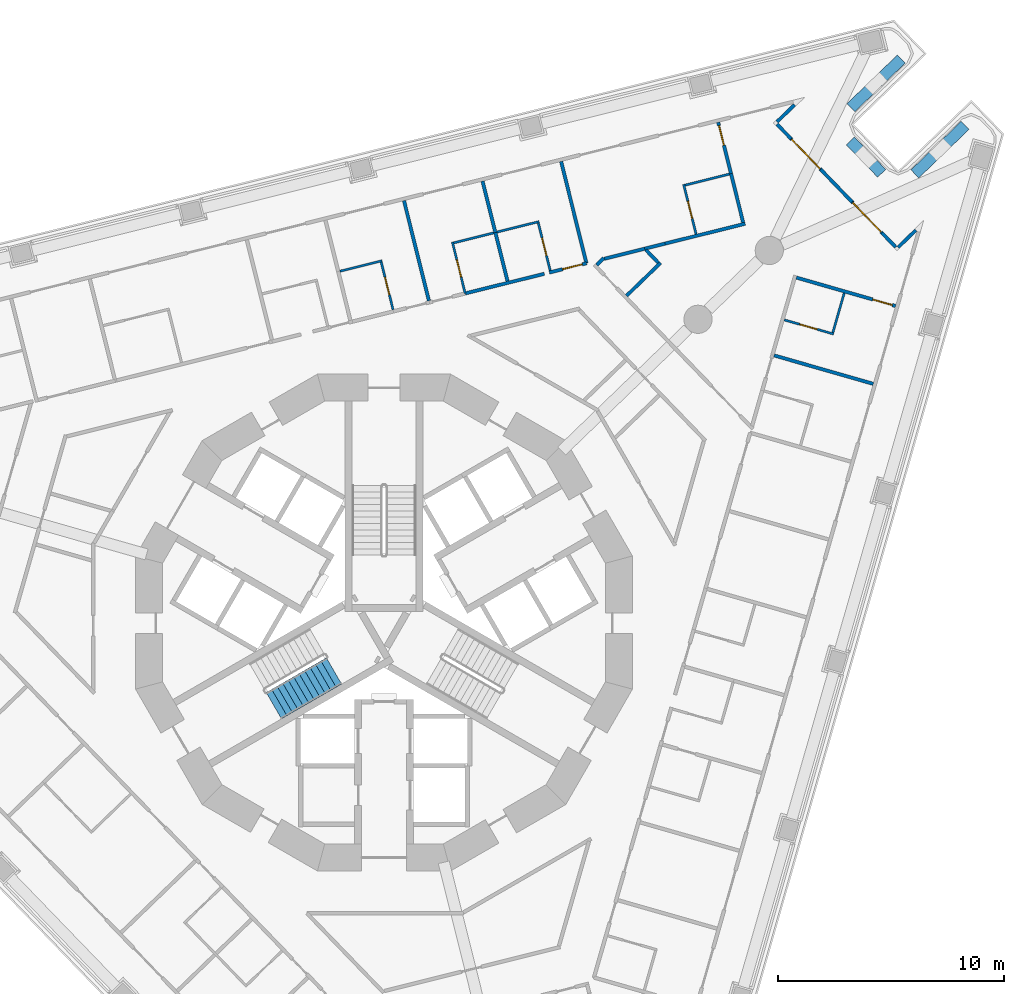
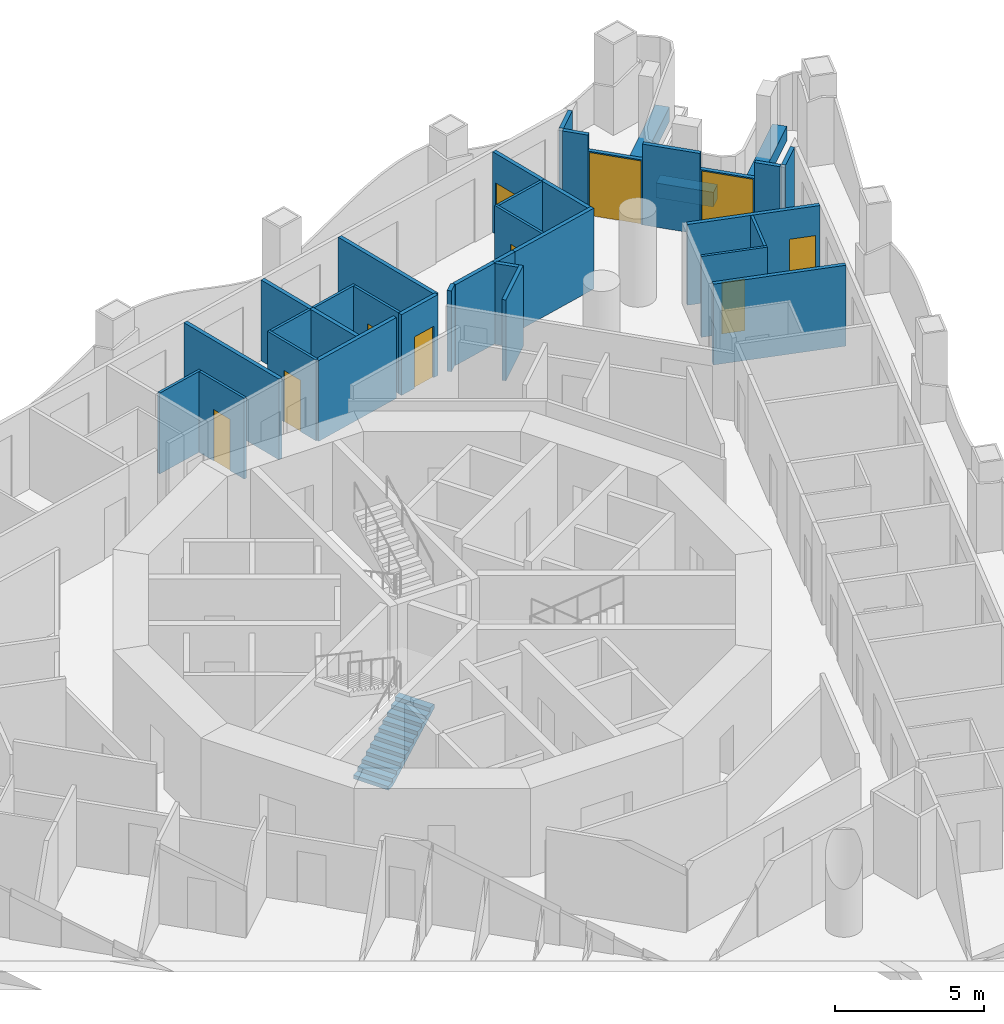
# One storey, part 10 of 19: 36 walls, 10 doors, 1 stair flight, 10 openings, 1 element without a shape of its own.
"""IFC4 building model written with IfcOpenShell, lengths in metres."""

from ifc_helpers import new_model, si_unit, direction, frame, frame_2d, origin, place, context, subcontext, project, spatial, polyline, rectangle, outline, extrude, material, layer, layer_set, type_object, element, fill, aggregate, save


model = new_model("IFC4")

# Units and contexts
model_context = context("Model", 3, precision=1e-05, world=origin(), true_north=direction((0.0, 1.0)))
body_context = subcontext(model_context, "Body", "Model", "MODEL_VIEW")
ifc_project = project(units=[si_unit("LENGTHUNIT", "METRE"), si_unit("AREAUNIT", "SQUARE_METRE"), si_unit("VOLUMEUNIT", "CUBIC_METRE"), si_unit("PLANEANGLEUNIT", "RADIAN"), si_unit("MASSUNIT", "GRAM", prefix="KILO")], contexts=[model_context])

# Site, building, storey
site_placement = place(None, origin())
site = spatial("IfcSite", under=ifc_project, at=site_placement, CompositionType="ELEMENT")
building_placement = place(site_placement, origin())
building = spatial("IfcBuilding", under=site, at=building_placement, Name="Trine Commons Tower", CompositionType="ELEMENT")
storey_placement = place(building_placement, frame((0.0, 0.0, 105.300048828125)))
storey = spatial("IfcBuildingStorey", under=building, at=storey_placement, Name="L26", CompositionType="ELEMENT", Elevation=105.300048828125)

# Walls
ifc_material_1 = material(Name="Aluminium-framed insulated wall panel", Category="aluminium")
ifc_layer_1 = layer(ifc_material_1, 0.14990234375)
ifc_layer_set_1 = layer_set([ifc_layer_1], Name="Aluminium-framed insulated wall panel")
wall_type_1 = type_object("IfcWallType", Name="Glazed frame wall 150, EI 60", PredefinedType="SOLIDWALL", material=ifc_layer_set_1)
wall_1_placement = place(storey_placement, frame((98.3076171875, 85.552490234375, 0.0), z_axis=(0.0, 0.0, 1.0), x_axis=(-0.719251336278, -0.694749966004, 0.0)))
element("IfcWall", 1, at=wall_1_placement, inside=storey, type_object=wall_type_1, Name="Glazed frame wall R5", PredefinedType="SOLIDWALL", context=body_context, shape_type="SweptSolid", body=[
    extrude(outline(polyline([(0.1494140625, 0.074951171875), (0.1494140625, -0.074951171875), (1.235107421875, -0.074951171875), (1.235107421875, 0.074951171875), (0.1494140625, 0.074951171875)])), origin(), (0.0, 0.0, 1.0), 3.300048828125),
])
wall_2_placement = place(storey_placement, frame((97.3408203125, 84.66748046875, 0.0), z_axis=(0.0, 0.0, 1.0), x_axis=(0.694668587965, -0.719329933267, 0.0)))
element("IfcWall", 2, at=wall_2_placement, inside=storey, type_object=wall_type_1, Name="Glazed frame wall P2.1", PredefinedType="SOLIDWALL", context=body_context, shape_type="SweptSolid", body=[
    extrude(outline(polyline([(0.110107421875, -0.074951171875), (1.0, -0.074951171875), (1.0, 0.074951171875), (0.110107421875, 0.074951171875), (0.110107421875, -0.074951171875)])), origin(), (0.0, 0.0, 1.0), 3.300048828125),
])

# Wall, opening, door
wall_3_placement = place(storey_placement, frame((98.035400390625, 83.9482421875, 0.0), z_axis=(0.0, 0.0, 1.0), x_axis=(0.694665586762, -0.719332831566, 0.0)))
wall_3 = element("IfcWall", 3, at=wall_3_placement, inside=storey, type_object=wall_type_1, Name="Glazed frame wall P2.2", PredefinedType="SOLIDWALL", context=body_context, shape_type="SweptSolid", body=[
    extrude(outline(polyline([(0.0, -0.074951171875), (1.89990234375, -0.074951171875), (1.89990234375, 0.074951171875), (0.0, 0.074951171875), (0.0, -0.074951171875)])), origin(), (0.0, 0.0, 1.0), 2.64990234375),
])
opening_1_placement = place(wall_3_placement, frame((0.050048828125, 0.0, 0.0)))
opening_1 = element("IfcOpeningElement", 4, at=opening_1_placement, cuts=wall_3, Name="Opening BD-3P2-01", PredefinedType="OPENING", context=body_context, shape_type="SweptSolid", body=[
    extrude(rectangle(XDim=1.800048828125, YDim=2.60009765625, at=frame_2d((0.89990234375, 1.300048828125))), frame((0.0, 0.0849609375, 0.0), z_axis=(0.0, -1.0, 0.0), x_axis=(1.0, 0.0, 0.0)), (0.0, 0.0, 1.0), 0.169921875),
])
ifc_material_2 = material(Name="Anodised aluminium frame with double glazing", Category="aluminium")
door_type_1 = type_object("IfcDoorType", Name="Sliding loggia door 1800x2600", OperationType="SLIDING_TO_LEFT", PredefinedType="DOOR", material=ifc_material_2)
door_1_placement = place(opening_1_placement, origin())
door_1 = element("IfcDoor", 5, at=door_1_placement, inside=storey, type_object=door_type_1, Name="Loggia door P2 1", OperationType="SLIDING_TO_LEFT", OverallHeight=2.60009765625, OverallWidth=1.800048828125, PredefinedType="DOOR", context=body_context, shape_type="SweptSolid", body=[
    extrude(rectangle(XDim=1.800048828125, YDim=2.60009765625, at=frame_2d((0.89990234375, 1.300048828125))), frame((0.0, 0.02490234375, 0.0), z_axis=(0.0, -1.0, 0.0), x_axis=(1.0, 0.0, 0.0)), (0.0, 0.0, 1.0), 0.050048828125),
])
fill(opening_1, door_1)

# Wall
wall_4_placement = place(storey_placement, frame((99.35546875, 82.581298828125, 0.0), z_axis=(0.0, 0.0, 1.0), x_axis=(0.694668587965, -0.719329933267, 0.0)))
element("IfcWall", 6, at=wall_4_placement, inside=storey, type_object=wall_type_1, Name="Glazed frame wall P2.3", PredefinedType="SOLIDWALL", context=body_context, shape_type="SweptSolid", body=[
    extrude(outline(polyline([(0.0, -0.074951171875), (2.0, -0.074951171875), (2.0, 0.074951171875), (0.0, 0.074951171875), (0.0, -0.074951171875)])), origin(), (0.0, 0.0, 1.0), 3.300048828125),
])

# Wall, opening, door
wall_5_placement = place(storey_placement, frame((100.74462890625, 81.142822265625, 0.0), z_axis=(0.0, 0.0, 1.0), x_axis=(0.694599099672, -0.719397032753, 0.0)))
wall_5 = element("IfcWall", 7, at=wall_5_placement, inside=storey, type_object=wall_type_1, Name="Glazed frame wall P2.4", PredefinedType="SOLIDWALL", context=body_context, shape_type="SweptSolid", body=[
    extrude(outline(polyline([(0.0, -0.074951171875), (1.89990234375, -0.074951171875), (1.89990234375, 0.074951171875), (0.0, 0.074951171875), (0.0, -0.074951171875)])), origin(), (0.0, 0.0, 1.0), 2.64990234375),
])
opening_2_placement = place(wall_5_placement, frame((0.050048828125, 0.0, 0.0)))
opening_2 = element("IfcOpeningElement", 8, at=opening_2_placement, cuts=wall_5, Name="Opening BD-3P2-02", PredefinedType="OPENING", context=body_context, shape_type="SweptSolid", body=[
    extrude(rectangle(XDim=1.800048828125, YDim=2.60009765625, at=frame_2d((0.89990234375, 1.300048828125))), frame((0.0, 0.0849609375, 0.0), z_axis=(0.0, -1.0, 0.0), x_axis=(1.0, 0.0, 0.0)), (0.0, 0.0, 1.0), 0.169921875),
])
door_2_placement = place(opening_2_placement, origin())
door_2 = element("IfcDoor", 9, at=door_2_placement, inside=storey, type_object=door_type_1, Name="Loggia door P2 2", OperationType="SLIDING_TO_LEFT", OverallHeight=2.60009765625, OverallWidth=1.800048828125, PredefinedType="DOOR", context=body_context, shape_type="SweptSolid", body=[
    extrude(rectangle(XDim=1.800048828125, YDim=2.60009765625, at=frame_2d((0.89990234375, 1.300048828125))), frame((0.0, 0.02490234375, 0.0), z_axis=(0.0, -1.0, 0.0), x_axis=(1.0, 0.0, 0.0)), (0.0, 0.0, 1.0), 0.050048828125),
])
fill(opening_2, door_2)

# Walls
wall_6_placement = place(storey_placement, frame((102.064453125, 79.77587890625, 0.0), z_axis=(0.0, 0.0, 1.0), x_axis=(0.694794898962, -0.719207931252, 0.0)))
element("IfcWall", 10, at=wall_6_placement, inside=storey, type_object=wall_type_1, Name="Glazed frame wall P2.5", PredefinedType="SOLIDWALL", context=body_context, shape_type="SweptSolid", body=[
    extrude(outline(polyline([(0.889892578125, 0.074951171875), (0.0, 0.074951171875), (0.0, -0.074951171875), (0.889892578125, -0.074951171875), (0.889892578125, 0.074951171875)])), origin(), (0.0, 0.0, 1.0), 3.300048828125),
])
wall_7_placement = place(storey_placement, frame((102.709716796875, 79.0576171875, 0.0), z_axis=(0.0, 0.0, 1.0), x_axis=(0.719342032924, 0.694656058542, 0.0)))
element("IfcWall", 11, at=wall_7_placement, inside=storey, type_object=wall_type_1, Name="Glazed frame wall R7", PredefinedType="SOLIDWALL", context=body_context, shape_type="SweptSolid", body=[
    extrude(outline(polyline([(0.110107421875, 0.074951171875), (0.110107421875, -0.074951171875), (1.19580078125, -0.074951171875), (1.19580078125, 0.074951171875), (0.110107421875, 0.074951171875)])), origin(), (0.0, 0.0, 1.0), 3.300048828125),
])
ifc_material_3 = material(Name="Planter trough, precast concrete C40/50", Category="concrete")
ifc_layer_2 = layer(ifc_material_3, 0.5)
ifc_layer_set_2 = layer_set([ifc_layer_2], Name="Planter trough, precast concrete C40/50")
wall_type_2 = type_object("IfcWallType", Name="Planter trough 500x600", PredefinedType="PARAPET", material=ifc_layer_set_2)
wall_8_placement = place(storey_placement, frame((102.923828125, 87.47314453125, 0.0), z_axis=(0.0, 0.0, 1.0), x_axis=(-0.719324109218, -0.694674618723, 0.0)))
element("IfcWall", 12, at=wall_8_placement, inside=storey, type_object=wall_type_2, Name="Planter 4", PredefinedType="PARAPET", context=body_context, shape_type="SweptSolid", body=[
    extrude(rectangle(XDim=3.10009765625, YDim=0.5, at=frame_2d((1.550048828125, 0.0))), origin(), (0.0, 0.0, 1.0), 0.599853515625),
])
wall_9_placement = place(storey_placement, frame((100.668212890625, 83.84912109375, 0.0), z_axis=(0.0, 0.0, 1.0), x_axis=(0.694731751498, -0.719268929859, 0.0)))
element("IfcWall", 13, at=wall_9_placement, inside=storey, type_object=wall_type_2, Name="Planter 5", PredefinedType="PARAPET", context=body_context, shape_type="SweptSolid", body=[
    extrude(rectangle(XDim=2.0, YDim=0.5, at=frame_2d((1.0, 0.0))), origin(), (0.0, 0.0, 1.0), 0.599853515625),
])
wall_10_placement = place(storey_placement, frame((103.528076171875, 82.385009765625, 0.0), z_axis=(0.0, 0.0, 1.0), x_axis=(0.719363462475, 0.694633866765, 0.0)))
element("IfcWall", 14, at=wall_10_placement, inside=storey, type_object=wall_type_2, Name="Planter 6", PredefinedType="PARAPET", context=body_context, shape_type="SweptSolid", body=[
    extrude(rectangle(XDim=3.099853515625, YDim=0.5, at=frame_2d((1.5498046875, 0.0))), origin(), (0.0, 0.0, 1.0), 0.599853515625),
])
ifc_material_4 = material(Name="Gypsum plasterboard on steel stud", Category="steel")
ifc_layer_3 = layer(ifc_material_4, 0.14990234375)
ifc_layer_set_3 = layer_set([ifc_layer_3], Name="Gypsum plasterboard on steel stud")
wall_type_3 = type_object("IfcWallType", Name="Unit and corridor wall 150 mm, EI 60", PredefinedType="PARTITIONING", material=ifc_layer_set_3)
wall_11_placement = place(storey_placement, frame((80.8857421875, 81.1982421875, 0.0), z_axis=(0.0, 0.0, 1.0), x_axis=(0.241932529305, -0.970293074934, 0.0)))
element("IfcWall", 15, at=wall_11_placement, inside=storey, type_object=wall_type_3, Name="Partition 078", PredefinedType="PARTITIONING", context=body_context, shape_type="SweptSolid", body=[
    extrude(rectangle(XDim=4.572265625, YDim=0.14990234375, at=frame_2d((2.2861328125, 0.0))), origin(), (0.0, 0.0, 1.0), 3.300048828125),
])
wall_12_placement = place(storey_placement, frame((83.594970703125, 77.083984375, 0.0), z_axis=(0.0, 0.0, 1.0), x_axis=(0.97027343731, 0.242011274224, 0.0)))
element("IfcWall", 16, at=wall_12_placement, inside=storey, type_object=wall_type_3, Name="Partition 084", PredefinedType="PARTITIONING", context=body_context, shape_type="SweptSolid", body=[
    extrude(rectangle(XDim=3.615478515625, YDim=0.14990234375, at=frame_2d((1.8076171875, 0.0))), origin(), (0.0, 0.0, 1.0), 3.300048828125),
])
wall_13_placement = place(storey_placement, frame((84.36669921875, 82.066162109375, 0.0), z_axis=(0.0, 0.0, 1.0), x_axis=(0.242070735259, -0.970258604255, 0.0)))
element("IfcWall", 17, at=wall_13_placement, inside=storey, type_object=wall_type_3, Name="Partition 088", PredefinedType="PARTITIONING", context=body_context, shape_type="SweptSolid", body=[
    extrude(rectangle(XDim=2.347900390625, YDim=0.14990234375, at=frame_2d((1.173828125, 0.0))), origin(), (0.0, 0.0, 1.0), 3.300048828125),
])
wall_14_placement = place(storey_placement, frame((84.93505859375, 79.7880859375, 0.0), z_axis=(0.0, 0.0, 1.0), x_axis=(0.241812399695, -0.970323020109, 0.0)))
element("IfcWall", 18, at=wall_14_placement, inside=storey, type_object=wall_type_3, Name="Partition 089", PredefinedType="PARTITIONING", context=body_context, shape_type="SweptSolid", body=[
    extrude(rectangle(XDim=2.22412109375, YDim=0.14990234375, at=frame_2d((1.112060546875, 0.0))), origin(), (0.0, 0.0, 1.0), 3.300048828125),
])

# Wall, opening, door
wall_15_placement = place(storey_placement, frame((87.33056640625, 78.015869140625, 0.0), z_axis=(0.0, 0.0, 1.0), x_axis=(0.970480149454, 0.241181009858, 0.0)))
wall_15 = element("IfcWall", 19, at=wall_15_placement, inside=storey, type_object=wall_type_3, Name="Partition 096", PredefinedType="PARTITIONING", context=body_context, shape_type="SweptSolid", body=[
    extrude(rectangle(XDim=1.696533203125, YDim=0.14990234375, at=frame_2d((0.84814453125, 0.0))), origin(), (0.0, 0.0, 1.0), 3.300048828125),
])
opening_3_placement = place(wall_15_placement, frame((0.598876953125, 0.0, 0.0)))
opening_3 = element("IfcOpeningElement", 20, at=opening_3_placement, cuts=wall_15, Name="Opening D-3B14", PredefinedType="OPENING", context=body_context, shape_type="SweptSolid", body=[
    extrude(rectangle(XDim=0.89990234375, YDim=2.10009765625, at=frame_2d((0.449951171875, 1.050048828125))), frame((0.0, 0.0849609375, 0.0), z_axis=(0.0, -1.0, 0.0), x_axis=(1.0, 0.0, 0.0)), (0.0, 0.0, 1.0), 0.169921875),
])
ifc_material_5 = material(Name="Timber fire door set", Category="wood")
door_type_2 = type_object("IfcDoorType", Name="Bedroom door 900 x 2100, FD30S", OperationType="NOTDEFINED", PredefinedType="DOOR", material=ifc_material_5)
door_3_placement = place(opening_3_placement, origin())
door_3 = element("IfcDoor", 21, at=door_3_placement, inside=storey, type_object=door_type_2, Name="Door D-3B14", OperationType="SINGLE_SWING_RIGHT", OverallHeight=2.10009765625, OverallWidth=0.89990234375, PredefinedType="DOOR", context=body_context, shape_type="SweptSolid", body=[
    extrude(rectangle(XDim=0.89990234375, YDim=2.10009765625, at=frame_2d((0.449951171875, 1.050048828125))), frame((0.0, 0.02490234375, 0.0), z_axis=(0.0, -1.0, 0.0), x_axis=(1.0, 0.0, 0.0)), (0.0, 0.0, 1.0), 0.050048828125),
])
fill(opening_3, door_3)

# Walls
wall_16_placement = place(storey_placement, frame((87.8486328125, 82.93408203125, 0.0), z_axis=(0.0, 0.0, 1.0), x_axis=(0.24192986462, -0.970293739341, 0.0)))
element("IfcWall", 22, at=wall_16_placement, inside=storey, type_object=wall_type_3, Name="Partition 099", PredefinedType="PARTITIONING", context=body_context, shape_type="SweptSolid", body=[
    extrude(rectangle(XDim=4.64697265625, YDim=0.14990234375, at=frame_2d((2.323486328125, 0.0))), origin(), (0.0, 0.0, 1.0), 3.300048828125),
])
wall_17_placement = place(storey_placement, frame((89.431884765625, 78.354248046875, 0.0), z_axis=(0.0, 0.0, 1.0), x_axis=(0.71857486408, 0.695449613352, 0.0)))
element("IfcWall", 23, at=wall_17_placement, inside=storey, type_object=wall_type_3, Name="Partition 108", PredefinedType="PARTITIONING", context=body_context, shape_type="SweptSolid", body=[
    extrude(rectangle(XDim=0.432861328125, YDim=0.14990234375, at=frame_2d((0.21630859375, 0.0))), origin(), (0.0, 0.0, 1.0), 3.300048828125),
])
wall_18_placement = place(storey_placement, frame((89.76171875, 78.62109375, 0.0), z_axis=(0.0, 0.0, 1.0), x_axis=(0.970212352615, 0.242256043958, 0.0)))
element("IfcWall", 24, at=wall_18_placement, inside=storey, type_object=wall_type_3, Name="Partition 110", PredefinedType="PARTITIONING", context=body_context, shape_type="SweptSolid", body=[
    extrude(rectangle(XDim=1.849365234375, YDim=0.14990234375, at=frame_2d((0.9248046875, 0.0))), origin(), (0.0, 0.0, 1.0), 3.300048828125),
])
wall_19_placement = place(storey_placement, frame((90.751953125, 76.987060546875, 0.0), z_axis=(0.0, 0.0, 1.0), x_axis=(0.719152982376, 0.694851774079, 0.0)))
element("IfcWall", 25, at=wall_19_placement, inside=storey, type_object=wall_type_3, Name="Partition 114", PredefinedType="PARTITIONING", context=body_context, shape_type="SweptSolid", body=[
    extrude(rectangle(XDim=2.099609375, YDim=0.14990234375, at=frame_2d((1.0498046875, 0.0))), origin(), (0.0, 0.0, 1.0), 3.300048828125),
])
wall_20_placement = place(storey_placement, frame((91.608154296875, 79.01513671875, 0.0), z_axis=(0.0, 0.0, 1.0), x_axis=(0.694771305492, -0.71923072311, 0.0)))
element("IfcWall", 26, at=wall_20_placement, inside=storey, type_object=wall_type_3, Name="Partition 118", PredefinedType="PARTITIONING", context=body_context, shape_type="SweptSolid", body=[
    extrude(rectangle(XDim=0.78857421875, YDim=0.14990234375, at=frame_2d((0.394287109375, 0.0))), origin(), (0.0, 0.0, 1.0), 3.300048828125),
])
wall_21_placement = place(storey_placement, frame((91.555908203125, 79.069091796875, 0.0), z_axis=(0.0, 0.0, 1.0), x_axis=(0.970312917643, 0.241852934351, 0.0)))
element("IfcWall", 27, at=wall_21_placement, inside=storey, type_object=wall_type_3, Name="Partition 119", PredefinedType="PARTITIONING", context=body_context, shape_type="SweptSolid", body=[
    extrude(rectangle(XDim=0.92578125, YDim=0.14990234375, at=frame_2d((0.462890625, 0.0))), origin(), (0.0, 0.0, 1.0), 3.300048828125),
])
wall_22_placement = place(storey_placement, frame((92.4541015625, 79.29296875, 0.0), z_axis=(0.0, 0.0, 1.0), x_axis=(0.970299100739, 0.241908360967, 0.0)))
element("IfcWall", 28, at=wall_22_placement, inside=storey, type_object=wall_type_3, Name="Partition 124", PredefinedType="PARTITIONING", context=body_context, shape_type="SweptSolid", body=[
    extrude(rectangle(XDim=3.66357421875, YDim=0.14990234375, at=frame_2d((1.831787109375, 0.0))), origin(), (0.0, 0.0, 1.0), 3.300048828125),
])

# Wall, opening, door
wall_23_placement = place(storey_placement, frame((94.811767578125, 84.671142578125, 0.0), z_axis=(0.0, 0.0, 1.0), x_axis=(0.24200944289, -0.97027389409, 0.0)))
wall_23 = element("IfcWall", 29, at=wall_23_placement, inside=storey, type_object=wall_type_3, Name="Partition 137", PredefinedType="PARTITIONING", context=body_context, shape_type="SweptSolid", body=[
    extrude(rectangle(XDim=2.40185546875, YDim=0.14990234375, at=frame_2d((1.200927734375, 0.0))), origin(), (0.0, 0.0, 1.0), 3.300048828125),
])
opening_4_placement = place(wall_23_placement, frame((0.14990234375, 0.0, 0.0)))
opening_4 = element("IfcOpeningElement", 30, at=opening_4_placement, cuts=wall_23, Name="Opening D-3B15", PredefinedType="OPENING", context=body_context, shape_type="SweptSolid", body=[
    extrude(rectangle(XDim=0.89990234375, YDim=2.10009765625, at=frame_2d((0.449951171875, 1.050048828125))), frame((0.0, 0.0849609375, 0.0), z_axis=(0.0, -1.0, 0.0), x_axis=(1.0, 0.0, 0.0)), (0.0, 0.0, 1.0), 0.169921875),
])
door_4_placement = place(opening_4_placement, frame((0.89990234375, 0.0, 0.0), z_axis=(0.0, 0.0, 1.0), x_axis=(-1.0, 0.0, 0.0)))
door_4 = element("IfcDoor", 31, at=door_4_placement, inside=storey, type_object=door_type_2, Name="Door D-3B15", OperationType="SINGLE_SWING_RIGHT", OverallHeight=2.10009765625, OverallWidth=0.89990234375, PredefinedType="DOOR", context=body_context, shape_type="SweptSolid", body=[
    extrude(rectangle(XDim=0.89990234375, YDim=2.10009765625, at=frame_2d((0.449951171875, 1.050048828125))), frame((0.0, 0.02490234375, 0.0), z_axis=(0.0, -1.0, 0.0), x_axis=(1.0, 0.0, 0.0)), (0.0, 0.0, 1.0), 0.050048828125),
])
fill(opening_4, door_4)

# Walls
wall_24_placement = place(storey_placement, frame((95.37890625, 82.39697265625, 0.0), z_axis=(0.0, 0.0, 1.0), x_axis=(0.241814032712, -0.970322613147, 0.0)))
element("IfcWall", 32, at=wall_24_placement, inside=storey, type_object=wall_type_3, Name="Partition 140", PredefinedType="PARTITIONING", context=body_context, shape_type="SweptSolid", body=[
    extrude(rectangle(XDim=2.229248046875, YDim=0.14990234375, at=frame_2d((1.11474609375, 0.0))), origin(), (0.0, 0.0, 1.0), 3.300048828125),
])
wall_25_placement = place(storey_placement, frame((97.2890625, 74.33935546875, 0.0), z_axis=(0.0, 0.0, 1.0), x_axis=(0.961269673231, -0.275609534171, 0.0)))
element("IfcWall", 33, at=wall_25_placement, inside=storey, type_object=wall_type_3, Name="Partition 149", PredefinedType="PARTITIONING", context=body_context, shape_type="SweptSolid", body=[
    extrude(rectangle(XDim=4.572509765625, YDim=0.14990234375, at=frame_2d((2.2861328125, 0.0))), origin(), (0.0, 0.0, 1.0), 3.300048828125),
])

# Wall, opening, door
wall_26_placement = place(storey_placement, frame((98.278076171875, 77.789306640625, 0.0), z_axis=(0.0, 0.0, 1.0), x_axis=(0.961269673231, -0.275609534171, 0.0)))
wall_26 = element("IfcWall", 34, at=wall_26_placement, inside=storey, type_object=wall_type_3, Name="Partition 151", PredefinedType="PARTITIONING", context=body_context, shape_type="SweptSolid", body=[
    extrude(rectangle(XDim=4.572509765625, YDim=0.14990234375, at=frame_2d((2.2861328125, 0.0))), origin(), (0.0, 0.0, 1.0), 3.300048828125),
])
opening_5_placement = place(wall_26_placement, frame((3.522705078125, 0.0, 0.0)))
opening_5 = element("IfcOpeningElement", 35, at=opening_5_placement, cuts=wall_26, Name="Opening D-3B16", PredefinedType="OPENING", context=body_context, shape_type="SweptSolid", body=[
    extrude(rectangle(XDim=0.89990234375, YDim=2.10009765625, at=frame_2d((0.449951171875, 1.050048828125))), frame((0.0, 0.0849609375, 0.0), z_axis=(0.0, -1.0, 0.0), x_axis=(1.0, 0.0, 0.0)), (0.0, 0.0, 1.0), 0.169921875),
])
door_5_placement = place(opening_5_placement, frame((0.89990234375, 0.0, 0.0), z_axis=(0.0, 0.0, 1.0), x_axis=(-1.0, 0.0, 0.0)))
door_5 = element("IfcDoor", 36, at=door_5_placement, inside=storey, type_object=door_type_2, Name="Door D-3B16", OperationType="SINGLE_SWING_LEFT", OverallHeight=2.10009765625, OverallWidth=0.89990234375, PredefinedType="DOOR", context=body_context, shape_type="SweptSolid", body=[
    extrude(rectangle(XDim=0.89990234375, YDim=2.10009765625, at=frame_2d((0.449951171875, 1.050048828125))), frame((0.0, 0.02490234375, 0.0), z_axis=(0.0, -1.0, 0.0), x_axis=(1.0, 0.0, 0.0)), (0.0, 0.0, 1.0), 0.050048828125),
])
fill(opening_5, door_5)

# Wall
ifc_layer_4 = layer(ifc_material_4, 0.10009765625)
ifc_layer_set_4 = layer_set([ifc_layer_4], Name="Gypsum plasterboard on steel stud")
wall_type_4 = type_object("IfcWallType", Name="Unit partition 100 mm, no rating", PredefinedType="PARTITIONING", material=ifc_layer_set_4)
wall_27_placement = place(storey_placement, frame((78.044921875, 78.0703125, 0.0), z_axis=(0.0, 0.0, 1.0), x_axis=(0.970276645771, 0.241998410475, 0.0)))
element("IfcWall", 37, at=wall_27_placement, inside=storey, type_object=wall_type_4, Name="Partition 067", PredefinedType="PARTITIONING", context=body_context, shape_type="SweptSolid", body=[
    extrude(rectangle(XDim=1.9248046875, YDim=0.10009765625, at=frame_2d((0.96240234375, 0.0))), origin(), (0.0, 0.0, 1.0), 3.300048828125),
])

# Wall, opening, door
wall_28_placement = place(storey_placement, frame((79.876220703125, 78.4755859375, 0.0), z_axis=(0.0, 0.0, 1.0), x_axis=(0.241637657135, -0.970366550668, 0.0)))
wall_28 = element("IfcWall", 38, at=wall_28_placement, inside=storey, type_object=wall_type_4, Name="Partition 073", PredefinedType="PARTITIONING", context=body_context, shape_type="SweptSolid", body=[
    extrude(rectangle(XDim=2.17529296875, YDim=0.10009765625, at=frame_2d((1.087646484375, 0.0))), origin(), (0.0, 0.0, 1.0), 3.300048828125),
])
opening_6_placement = place(wall_28_placement, frame((0.6875, 0.0, 0.0)))
opening_6 = element("IfcOpeningElement", 39, at=opening_6_placement, cuts=wall_28, Name="Opening D-3B47", PredefinedType="OPENING", context=body_context, shape_type="SweptSolid", body=[
    extrude(rectangle(XDim=0.800048828125, YDim=2.10009765625, at=frame_2d((0.39990234375, 1.050048828125))), frame((0.0, 0.06005859375, 0.0), z_axis=(0.0, -1.0, 0.0), x_axis=(1.0, 0.0, 0.0)), (0.0, 0.0, 1.0), 0.1201171875),
])
ifc_material_6 = material(Name="Painted timber", Category="wood")
door_type_3 = type_object("IfcDoorType", Name="Internal door 800 x 2100, NOT RATED", OperationType="NOTDEFINED", PredefinedType="DOOR", material=ifc_material_6)
door_6_placement = place(opening_6_placement, origin())
door_6 = element("IfcDoor", 40, at=door_6_placement, inside=storey, type_object=door_type_3, Name="Door D-3B47", OperationType="SINGLE_SWING_RIGHT", OverallHeight=2.10009765625, OverallWidth=0.800048828125, PredefinedType="DOOR", context=body_context, shape_type="SweptSolid", body=[
    extrude(rectangle(XDim=0.800048828125, YDim=2.10009765625, at=frame_2d((0.39990234375, 1.050048828125))), frame((0.0, 0.02490234375, 0.0), z_axis=(0.0, -1.0, 0.0), x_axis=(1.0, 0.0, 0.0)), (0.0, 0.0, 1.0), 0.050048828125),
])
fill(opening_6, door_6)

wall_29_placement = place(storey_placement, frame((83.031005859375, 79.365478515625, 0.0), z_axis=(0.0, 0.0, 1.0), x_axis=(0.241728942951, -0.970343814398, 0.0)))
wall_29 = element("IfcWall", 41, at=wall_29_placement, inside=storey, type_object=wall_type_4, Name="Partition 081", PredefinedType="PARTITIONING", context=body_context, shape_type="SweptSolid", body=[
    extrude(rectangle(XDim=2.35009765625, YDim=0.10009765625, at=frame_2d((1.175048828125, 0.0))), origin(), (0.0, 0.0, 1.0), 3.300048828125),
])
opening_7_placement = place(wall_29_placement, frame((0.800048828125, 0.0, 0.0)))
opening_7 = element("IfcOpeningElement", 42, at=opening_7_placement, cuts=wall_29, Name="Opening D-3B48", PredefinedType="OPENING", context=body_context, shape_type="SweptSolid", body=[
    extrude(rectangle(XDim=0.800048828125, YDim=2.10009765625, at=frame_2d((0.39990234375, 1.050048828125))), frame((0.0, 0.06005859375, 0.0), z_axis=(0.0, -1.0, 0.0), x_axis=(1.0, 0.0, 0.0)), (0.0, 0.0, 1.0), 0.1201171875),
])
door_7_placement = place(opening_7_placement, frame((0.800048828125, 0.0, 0.0), z_axis=(0.0, 0.0, 1.0), x_axis=(-1.0, 0.0, 0.0)))
door_7 = element("IfcDoor", 43, at=door_7_placement, inside=storey, type_object=door_type_3, Name="Door D-3B48", OperationType="SINGLE_SWING_LEFT", OverallHeight=2.10009765625, OverallWidth=0.800048828125, PredefinedType="DOOR", context=body_context, shape_type="SweptSolid", body=[
    extrude(rectangle(XDim=0.800048828125, YDim=2.10009765625, at=frame_2d((0.39990234375, 1.050048828125))), frame((0.0, 0.02490234375, 0.0), z_axis=(0.0, -1.0, 0.0), x_axis=(1.0, 0.0, 0.0)), (0.0, 0.0, 1.0), 0.050048828125),
])
fill(opening_7, door_7)

# Walls
wall_30_placement = place(storey_placement, frame((83.091552734375, 79.3291015625, 0.0), z_axis=(0.0, 0.0, 1.0), x_axis=(0.970370298601, 0.241622605718, 0.0)))
element("IfcWall", 44, at=wall_30_placement, inside=storey, type_object=wall_type_4, Name="Partition 082", PredefinedType="PARTITIONING", context=body_context, shape_type="SweptSolid", body=[
    extrude(rectangle(XDim=1.82470703125, YDim=0.10009765625, at=frame_2d((0.912353515625, 0.0))), origin(), (0.0, 0.0, 1.0), 3.300048828125),
])
wall_31_placement = place(storey_placement, frame((85.0078125, 79.80615234375, 0.0), z_axis=(0.0, 0.0, 1.0), x_axis=(0.970246858135, 0.242117810743, 0.0)))
element("IfcWall", 45, at=wall_31_placement, inside=storey, type_object=wall_type_4, Name="Partition 090", PredefinedType="PARTITIONING", context=body_context, shape_type="SweptSolid", body=[
    extrude(rectangle(XDim=1.925048828125, YDim=0.10009765625, at=frame_2d((0.96240234375, 0.0))), origin(), (0.0, 0.0, 1.0), 3.300048828125),
])

# Wall, opening, door
wall_32_placement = place(storey_placement, frame((86.839111328125, 80.21142578125, 0.0), z_axis=(0.0, 0.0, 1.0), x_axis=(0.241875032927, -0.97030740925, 0.0)))
wall_32 = element("IfcWall", 46, at=wall_32_placement, inside=storey, type_object=wall_type_4, Name="Partition 091", PredefinedType="PARTITIONING", context=body_context, shape_type="SweptSolid", body=[
    extrude(rectangle(XDim=2.174072265625, YDim=0.10009765625, at=frame_2d((1.0869140625, 0.0))), origin(), (0.0, 0.0, 1.0), 3.300048828125),
])
opening_8_placement = place(wall_32_placement, frame((0.687255859375, 0.0, 0.0)))
opening_8 = element("IfcOpeningElement", 47, at=opening_8_placement, cuts=wall_32, Name="Opening D-3B49", PredefinedType="OPENING", context=body_context, shape_type="SweptSolid", body=[
    extrude(rectangle(XDim=0.800048828125, YDim=2.10009765625, at=frame_2d((0.39990234375, 1.050048828125))), frame((0.0, 0.06005859375, 0.0), z_axis=(0.0, -1.0, 0.0), x_axis=(1.0, 0.0, 0.0)), (0.0, 0.0, 1.0), 0.1201171875),
])
door_8_placement = place(opening_8_placement, origin())
door_8 = element("IfcDoor", 48, at=door_8_placement, inside=storey, type_object=door_type_3, Name="Door D-3B49", OperationType="SINGLE_SWING_RIGHT", OverallHeight=2.10009765625, OverallWidth=0.800048828125, PredefinedType="DOOR", context=body_context, shape_type="SweptSolid", body=[
    extrude(rectangle(XDim=0.800048828125, YDim=2.10009765625, at=frame_2d((0.39990234375, 1.050048828125))), frame((0.0, 0.02490234375, 0.0), z_axis=(0.0, -1.0, 0.0), x_axis=(1.0, 0.0, 0.0)), (0.0, 0.0, 1.0), 0.050048828125),
])
fill(opening_8, door_8)

wall_33_placement = place(storey_placement, frame((93.281982421875, 81.92041015625, 0.0), z_axis=(0.0, 0.0, 1.0), x_axis=(0.241777706381, -0.970331665307, 0.0)))
wall_33 = element("IfcWall", 49, at=wall_33_placement, inside=storey, type_object=wall_type_4, Name="Partition 130", PredefinedType="PARTITIONING", context=body_context, shape_type="SweptSolid", body=[
    extrude(rectangle(XDim=2.27392578125, YDim=0.10009765625, at=frame_2d((1.136962890625, 0.0))), origin(), (0.0, 0.0, 1.0), 3.300048828125),
])
opening_9_placement = place(wall_33_placement, frame((0.76220703125, 0.0, 0.0)))
opening_9 = element("IfcOpeningElement", 50, at=opening_9_placement, cuts=wall_33, Name="Opening D-3B50", PredefinedType="OPENING", context=body_context, shape_type="SweptSolid", body=[
    extrude(rectangle(XDim=0.800048828125, YDim=2.10009765625, at=frame_2d((0.39990234375, 1.050048828125))), frame((0.0, 0.06005859375, 0.0), z_axis=(0.0, -1.0, 0.0), x_axis=(1.0, 0.0, 0.0)), (0.0, 0.0, 1.0), 0.1201171875),
])
door_9_placement = place(opening_9_placement, frame((0.800048828125, 0.0, 0.0), z_axis=(0.0, 0.0, 1.0), x_axis=(-1.0, 0.0, 0.0)))
door_9 = element("IfcDoor", 51, at=door_9_placement, inside=storey, type_object=door_type_3, Name="Door D-3B50", OperationType="SINGLE_SWING_LEFT", OverallHeight=2.10009765625, OverallWidth=0.800048828125, PredefinedType="DOOR", context=body_context, shape_type="SweptSolid", body=[
    extrude(rectangle(XDim=0.800048828125, YDim=2.10009765625, at=frame_2d((0.39990234375, 1.050048828125))), frame((0.0, 0.02490234375, 0.0), z_axis=(0.0, -1.0, 0.0), x_axis=(1.0, 0.0, 0.0)), (0.0, 0.0, 1.0), 0.050048828125),
])
fill(opening_9, door_9)

# Wall
wall_34_placement = place(storey_placement, frame((93.342529296875, 81.884033203125, 0.0), z_axis=(0.0, 0.0, 1.0), x_axis=(0.970192124519, 0.242337041168, 0.0)))
element("IfcWall", 52, at=wall_34_placement, inside=storey, type_object=wall_type_4, Name="Partition 131", PredefinedType="PARTITIONING", context=body_context, shape_type="SweptSolid", body=[
    extrude(rectangle(XDim=2.02490234375, YDim=0.10009765625, at=frame_2d((1.012451171875, 0.0))), origin(), (0.0, 0.0, 1.0), 3.300048828125),
])

# Wall, opening, door
wall_35_placement = place(storey_placement, frame((97.7412109375, 75.914306640625, 0.0), z_axis=(0.0, 0.0, 1.0), x_axis=(0.961244019441, -0.27569899363, 0.0)))
wall_35 = element("IfcWall", 53, at=wall_35_placement, inside=storey, type_object=wall_type_4, Name="Partition 150", PredefinedType="PARTITIONING", context=body_context, shape_type="SweptSolid", body=[
    extrude(rectangle(XDim=2.27490234375, YDim=0.10009765625, at=frame_2d((1.137451171875, 0.0))), origin(), (0.0, 0.0, 1.0), 3.300048828125),
])
opening_10_placement = place(wall_35_placement, frame((0.71240234375, 0.0, 0.0)))
opening_10 = element("IfcOpeningElement", 54, at=opening_10_placement, cuts=wall_35, Name="Opening D-3B51", PredefinedType="OPENING", context=body_context, shape_type="SweptSolid", body=[
    extrude(rectangle(XDim=0.800048828125, YDim=2.10009765625, at=frame_2d((0.39990234375, 1.050048828125))), frame((0.0, 0.06005859375, 0.0), z_axis=(0.0, -1.0, 0.0), x_axis=(1.0, 0.0, 0.0)), (0.0, 0.0, 1.0), 0.1201171875),
])
door_10_placement = place(opening_10_placement, frame((0.800048828125, 0.0, 0.0), z_axis=(0.0, 0.0, 1.0), x_axis=(-1.0, 0.0, 0.0)))
door_10 = element("IfcDoor", 55, at=door_10_placement, inside=storey, type_object=door_type_3, Name="Door D-3B51", OperationType="SINGLE_SWING_RIGHT", OverallHeight=2.10009765625, OverallWidth=0.800048828125, PredefinedType="DOOR", context=body_context, shape_type="SweptSolid", body=[
    extrude(rectangle(XDim=0.800048828125, YDim=2.10009765625, at=frame_2d((0.39990234375, 1.050048828125))), frame((0.0, 0.02490234375, 0.0), z_axis=(0.0, -1.0, 0.0), x_axis=(1.0, 0.0, 0.0)), (0.0, 0.0, 1.0), 0.050048828125),
])
fill(opening_10, door_10)

# Wall
wall_36_placement = place(storey_placement, frame((99.893798828125, 75.34912109375, 0.0), z_axis=(0.0, 0.0, 1.0), x_axis=(0.275374633487, 0.961336991503, 0.0)))
element("IfcWall", 56, at=wall_36_placement, inside=storey, type_object=wall_type_4, Name="Partition 153", PredefinedType="PARTITIONING", context=body_context, shape_type="SweptSolid", body=[
    extrude(rectangle(XDim=1.825439453125, YDim=0.10009765625, at=frame_2d((0.91259765625, 0.0))), origin(), (0.0, 0.0, 1.0), 3.300048828125),
])

# Stair, stair flight
ifc_material_7 = material(Name="Concrete C50/60", Category="concrete")
stair_type = type_object("IfcStairType", Name="Exit stair, dog-leg, 24 risers of 150 mm", PredefinedType="HALF_TURN_STAIR", material=ifc_material_7)
stair_placement = place(storey_placement, origin())
stair = element("IfcStair", 57, at=stair_placement, inside=storey, type_object=stair_type, Name="L26 Exit stair ST2A", PredefinedType="HALF_TURN_STAIR")
stair_flight_type = type_object("IfcStairFlightType", Name="Stair flight, 1350 wide, 12 risers of 150 mm", PredefinedType="STRAIGHT", material=ifc_material_7)
stair_flight_placement = place(storey_placement, frame((75.11767578125, 58.815185546875, 0.0), z_axis=(0.0, 0.0, 1.0), x_axis=(0.866025403784, 0.5, 0.0)))
stair_flight = element("IfcStairFlight", 58, at=stair_flight_placement, type_object=stair_flight_type, Name="ST2A flight 1", NumberOfRisers=12, NumberOfTreads=11, PredefinedType="STRAIGHT", RiserHeight=0.15, TreadLength=0.28, context=body_context, shape_type="SweptSolid", body=[
    extrude(outline(polyline([(0.0, 0.0), (0.0, 0.14990234375), (0.280029296875, 0.14990234375), (0.280029296875, 0.300048828125), (0.56005859375, 0.300048828125), (0.56005859375, 0.449951171875), (0.840087890625, 0.449951171875), (0.840087890625, 0.60009765625), (1.1201171875, 0.60009765625), (1.1201171875, 0.75), (1.39990234375, 0.75), (1.39990234375, 0.89990234375), (1.679931640625, 0.89990234375), (1.679931640625, 1.050048828125), (1.9599609375, 1.050048828125), (1.9599609375, 1.199951171875), (2.239990234375, 1.199951171875), (2.239990234375, 1.35009765625), (2.52001953125, 1.35009765625), (2.52001953125, 1.5), (2.800048828125, 1.5), (2.800048828125, 1.64990234375), (3.080078125, 1.64990234375), (3.080078125, 1.800048828125), (3.080078125, 1.47998046875), (0.3173828125, 0.0), (0.0, 0.0)])), frame((0.0, 0.675048828125, 0.0), z_axis=(0.0, -1.0, 0.0), x_axis=(1.0, 0.0, 0.0)), (0.0, 0.0, 1.0), 1.35009765625),
])
aggregate(stair, [stair_flight])

save(model, "model.ifc")
